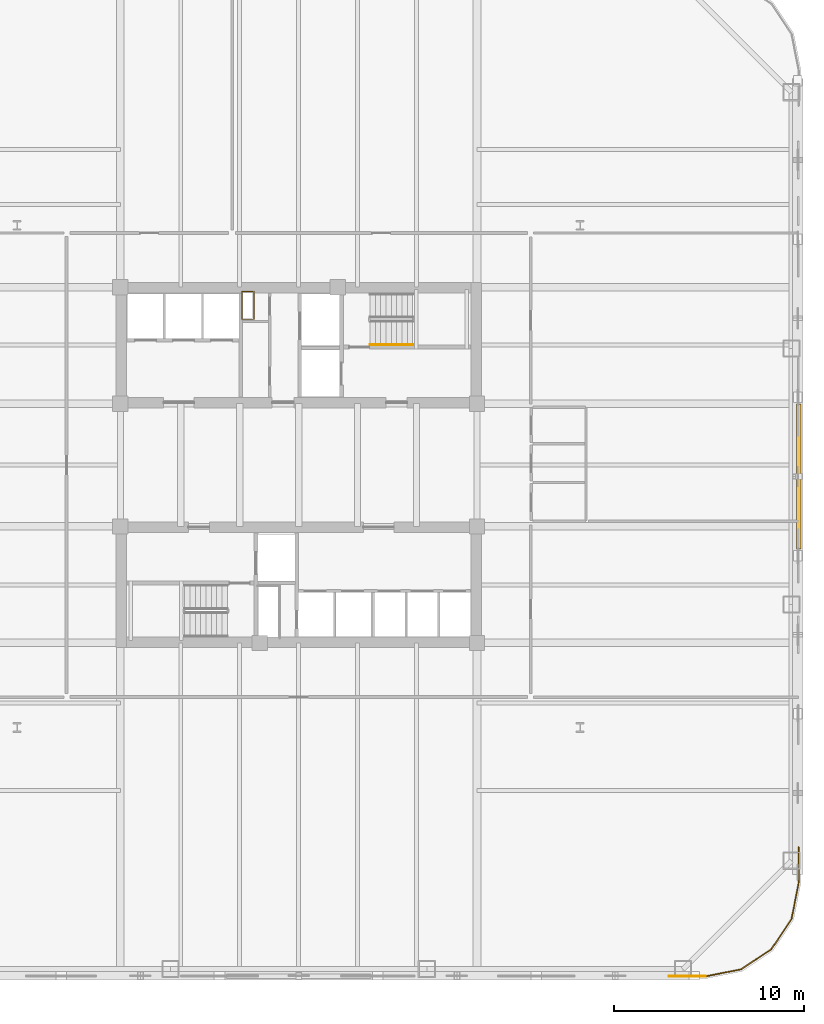
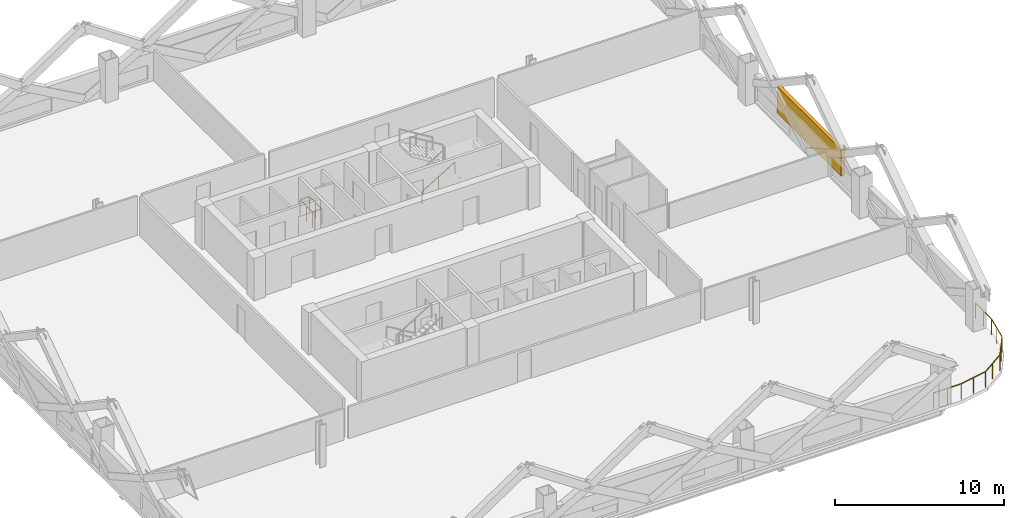
# One storey, part 10 of 13: 4 railings, 1 shading device.
"""IFC4 building model written with IfcOpenShell, lengths in metres."""

from ifc_helpers import new_model, si_unit, direction, frame, origin, origin_2d, place, context, subcontext, project, spatial, rectangle, extrude, material, type_object, element, save


model = new_model("IFC4")

# Units and contexts
model_context = context("Model", 3, precision=1e-05, world=origin(), true_north=direction((0.0, 1.0)))
body_context = subcontext(model_context, "Body", "Model", "MODEL_VIEW")
ifc_project = project(units=[si_unit("LENGTHUNIT", "METRE"), si_unit("AREAUNIT", "SQUARE_METRE"), si_unit("VOLUMEUNIT", "CUBIC_METRE"), si_unit("PLANEANGLEUNIT", "RADIAN"), si_unit("MASSUNIT", "GRAM", prefix="KILO")], contexts=[model_context])

# Site, building, storey
site_placement = place(None, origin())
site = spatial("IfcSite", under=ifc_project, at=site_placement, CompositionType="ELEMENT")
building_placement = place(site_placement, origin())
building = spatial("IfcBuilding", under=site, at=building_placement, Name="Qhalaya Broadcast Tower", CompositionType="ELEMENT")
storey_placement = place(building_placement, frame((0.0, 0.0, 32.199951171875)))
storey = spatial("IfcBuildingStorey", under=building, at=storey_placement, Name="L08", CompositionType="ELEMENT", Elevation=32.199951171875)

# Railings
ifc_material_1 = material(Name="Powder-Coated Galvanised Steel", Category="steel")
railing_type_1 = type_object("IfcRailingType", Name="Stair Wall Handrail 900", PredefinedType="HANDRAIL", material=ifc_material_1)
railing_1_placement = place(storey_placement, frame((3.75, 6.929931640625, 0.16943359375)))
element("IfcRailing", 1, at=railing_1_placement, inside=storey, type_object=railing_type_1, Name="L08 ST-1 Stair Handrail 1", PredefinedType="HANDRAIL", context=body_context, shape_type="SweptSolid", body=[
    extrude(rectangle(XDim=0.048095703125, YDim=0.048095703125, at=origin_2d()), frame((0.0, 0.0, 0.8759765625), z_axis=(0.855512035549, 0.0, 0.517782924622), x_axis=(0.0, 1.0, 0.0)), (0.0, 0.0, 1.0), 2.618408203125),
    extrude(rectangle(XDim=0.0419921875, YDim=0.0419921875, at=origin_2d()), origin(), (0.0, 0.0, 1.0), 0.849853515625),
    extrude(rectangle(XDim=0.0419921875, YDim=0.0419921875, at=origin_2d()), frame((1.1201171875, 0.0, 0.677734375)), (0.0, 0.0, 1.0), 0.849853515625),
    extrude(rectangle(XDim=0.0419921875, YDim=0.0419921875, at=origin_2d()), frame((2.239990234375, 0.0, 1.355712890625)), (0.0, 0.0, 1.0), 0.849853515625),
])
railing_type_2 = type_object("IfcRailingType", Name="Stair Well & Landing Guardrail 1100", PredefinedType="GUARDRAIL", material=ifc_material_1)
railing_2_placement = place(storey_placement, frame((-2.340087890625, 8.239990234375, 0.0)))
element("IfcRailing", 2, at=railing_2_placement, inside=storey, type_object=railing_type_2, Name="L08 Service Riser Opening Safety Guard NRSR", PredefinedType="GUARDRAIL", context=body_context, shape_type="SweptSolid", body=[
    extrude(rectangle(XDim=0.048095703125, YDim=0.048095703125, at=origin_2d()), frame((0.0, 0.02880859375, 1.1259765625), z_axis=(0.0, 1.0, 0.0), x_axis=(-1.0, 0.0, 0.0)), (0.0, 0.0, 1.0), 1.42236328125),
    extrude(rectangle(XDim=0.048095703125, YDim=0.048095703125, at=origin_2d()), frame((-0.02880859375, 1.47998046875, 1.1259765625), z_axis=(-1.0, 0.0, 0.0), x_axis=(0.0, -1.0, 0.0)), (0.0, 0.0, 1.0), 0.582275390625),
    extrude(rectangle(XDim=0.048095703125, YDim=0.048095703125, at=origin_2d()), frame((-0.639892578125, 1.451171875, 1.1259765625), z_axis=(0.0, -1.0, 0.0), x_axis=(1.0, 0.0, 0.0)), (0.0, 0.0, 1.0), 1.42236328125),
    extrude(rectangle(XDim=0.048095703125, YDim=0.048095703125, at=origin_2d()), frame((-0.611083984375, 0.0, 1.1259765625), z_axis=(1.0, 0.0, 0.0), x_axis=(0.0, 1.0, 0.0)), (0.0, 0.0, 1.0), 0.582275390625),
    extrude(rectangle(XDim=0.0419921875, YDim=0.0419921875, at=origin_2d()), origin(), (0.0, 0.0, 1.0), 1.099853515625),
    extrude(rectangle(XDim=0.0419921875, YDim=0.0419921875, at=origin_2d()), frame((0.0, 0.739990234375, 0.0)), (0.0, 0.0, 1.0), 1.099853515625),
    extrude(rectangle(XDim=0.0419921875, YDim=0.0419921875, at=origin_2d()), frame((0.0, 1.47998046875, 0.0)), (0.0, 0.0, 1.0), 1.099853515625),
    extrude(rectangle(XDim=0.0419921875, YDim=0.0419921875, at=origin_2d()), frame((-0.639892578125, 1.47998046875, 0.0)), (0.0, 0.0, 1.0), 1.099853515625),
    extrude(rectangle(XDim=0.0419921875, YDim=0.0419921875, at=origin_2d()), frame((-0.639892578125, 0.739990234375, 0.0)), (0.0, 0.0, 1.0), 1.099853515625),
    extrude(rectangle(XDim=0.0419921875, YDim=0.0419921875, at=origin_2d()), frame((-0.639892578125, 0.0, 0.0)), (0.0, 0.0, 1.0), 1.099853515625),
])
railing_type_3 = type_object("IfcRailingType", Name="Terrace, Sky-Pool & Lookout Glass Balustrade 1150", PredefinedType="BALUSTRADE", material=ifc_material_1)
railing_3_placement = place(storey_placement, frame((21.38818359375, -26.280029296875, 0.0)))
element("IfcRailing", 3, at=railing_3_placement, inside=storey, type_object=railing_type_3, Name="L08 Rounded Corner Perimeter Guard 01", PredefinedType="BALUSTRADE", context=body_context, shape_type="SweptSolid", body=[
    extrude(rectangle(XDim=0.048095703125, YDim=0.048095703125, at=origin_2d()), frame((0.0, 0.0, 1.1259765625), z_axis=(-1.0, 0.0, 0.0), x_axis=(0.0, -1.0, 0.0)), (0.0, 0.0, 1.0), 1.90625),
    extrude(rectangle(XDim=0.0419921875, YDim=0.0419921875, at=origin_2d()), origin(), (0.0, 0.0, 1.0), 1.099853515625),
    extrude(rectangle(XDim=0.0419921875, YDim=0.0419921875, at=origin_2d()), frame((-0.953125, 0.0, 0.0)), (0.0, 0.0, 1.0), 1.099853515625),
    extrude(rectangle(XDim=0.0419921875, YDim=0.0419921875, at=origin_2d()), frame((-1.90625, 0.0, 0.0)), (0.0, 0.0, 1.0), 1.099853515625),
])
railing_4_placement = place(storey_placement, frame((26.280029296875, -19.48193359375, 0.0)))
element("IfcRailing", 4, at=railing_4_placement, inside=storey, type_object=railing_type_3, Name="L08 Rounded Corner Perimeter Guard 05", PredefinedType="BALUSTRADE", context=body_context, shape_type="SweptSolid", body=[
    extrude(rectangle(XDim=0.048095703125, YDim=0.048095703125, at=origin_2d()), frame((0.0, 0.0, 1.1259765625), z_axis=(0.0, -1.0, 0.0), x_axis=(1.0, 0.0, 0.0)), (0.0, 0.0, 1.0), 1.87744140625),
    extrude(rectangle(XDim=0.048095703125, YDim=0.048095703125, at=origin_2d()), frame((-0.005615234375, -1.9345703125, 1.1259765625), z_axis=(-0.195037378397, -0.980795810058, 0.0), x_axis=(0.980795810058, -0.195037378397, 0.0)), (0.0, 0.0, 1.0), 1.857421875),
    extrude(rectangle(XDim=0.048095703125, YDim=0.048095703125, at=origin_2d()), frame((-0.3896484375, -3.80859375, 1.1259765625), z_axis=(-0.555558355728, -0.831477548332, 0.0), x_axis=(0.831477548332, -0.555558355728, 0.0)), (0.0, 0.0, 1.0), 1.845458984375),
    extrude(rectangle(XDim=0.048095703125, YDim=0.048095703125, at=origin_2d()), frame((-1.454833984375, -5.38330078125, 1.1259765625), z_axis=(-0.831477548332, -0.555558355728, 0.0), x_axis=(0.555558355728, -0.831477548332, 0.0)), (0.0, 0.0, 1.0), 1.845458984375),
    extrude(rectangle(XDim=0.048095703125, YDim=0.048095703125, at=origin_2d()), frame((-3.041748046875, -6.43017578125, 1.1259765625), z_axis=(-0.980795810058, -0.195037378397, 0.0), x_axis=(0.195037378397, -0.980795810058, 0.0)), (0.0, 0.0, 1.0), 1.88623046875),
    extrude(rectangle(XDim=0.0419921875, YDim=0.0419921875, at=origin_2d()), origin(), (0.0, 0.0, 1.0), 1.099853515625),
    extrude(rectangle(XDim=0.0419921875, YDim=0.0419921875, at=origin_2d()), frame((0.0, -0.953125, 0.0)), (0.0, 0.0, 1.0), 1.099853515625),
    extrude(rectangle(XDim=0.0419921875, YDim=0.0419921875, at=origin_2d()), frame((0.0, -1.90625, 0.0)), (0.0, 0.0, 1.0), 1.099853515625),
    extrude(rectangle(XDim=0.0419921875, YDim=0.0419921875, at=origin_2d()), frame((-0.186767578125, -2.845458984375, 0.0)), (0.0, 0.0, 1.0), 1.099853515625),
    extrude(rectangle(XDim=0.0419921875, YDim=0.0419921875, at=origin_2d()), frame((-0.37353515625, -3.78466796875, 0.0)), (0.0, 0.0, 1.0), 1.099853515625),
    extrude(rectangle(XDim=0.0419921875, YDim=0.0419921875, at=origin_2d()), frame((-0.90234375, -4.575927734375, 0.0)), (0.0, 0.0, 1.0), 1.099853515625),
    extrude(rectangle(XDim=0.0419921875, YDim=0.0419921875, at=origin_2d()), frame((-1.430908203125, -5.3671875, 0.0)), (0.0, 0.0, 1.0), 1.099853515625),
    extrude(rectangle(XDim=0.0419921875, YDim=0.0419921875, at=origin_2d()), frame((-2.22216796875, -5.89599609375, 0.0)), (0.0, 0.0, 1.0), 1.099853515625),
    extrude(rectangle(XDim=0.0419921875, YDim=0.0419921875, at=origin_2d()), frame((-3.013427734375, -6.424560546875, 0.0)), (0.0, 0.0, 1.0), 1.099853515625),
    extrude(rectangle(XDim=0.0419921875, YDim=0.0419921875, at=origin_2d()), frame((-3.95263671875, -6.611328125, 0.0)), (0.0, 0.0, 1.0), 1.099853515625),
    extrude(rectangle(XDim=0.0419921875, YDim=0.0419921875, at=origin_2d()), frame((-4.891845703125, -6.798095703125, 0.0)), (0.0, 0.0, 1.0), 1.099853515625),
])

# Shading device
ifc_material_2 = material(Name="Fired Architectural Terracotta", Category="masonry")
shading_device_type = type_object("IfcShadingDeviceType", Name="Terracotta Baguette Solar Screen Assembly TBS-01", PredefinedType="USERDEFINED", material=ifc_material_2)
shading_device_placement = place(storey_placement, frame((26.280029296875, 0.0, 0.79248046875), z_axis=(0.0, 0.0, 1.0), x_axis=(0.0, 1.0, 0.0)))
element("IfcShadingDevice", 5, at=shading_device_placement, inside=storey, type_object=shading_device_type, Name="L08 Fired Terracotta Baguette Screen E", ObjectType="BAGUETTE", PredefinedType="USERDEFINED", context=body_context, shape_type="SweptSolid", body=[
    extrude(rectangle(XDim=7.60009765625, YDim=0.239990234375, at=origin_2d()), origin(), (0.0, 0.0, 1.0), 1.924072265625),
])

save(model, "model.ifc")
